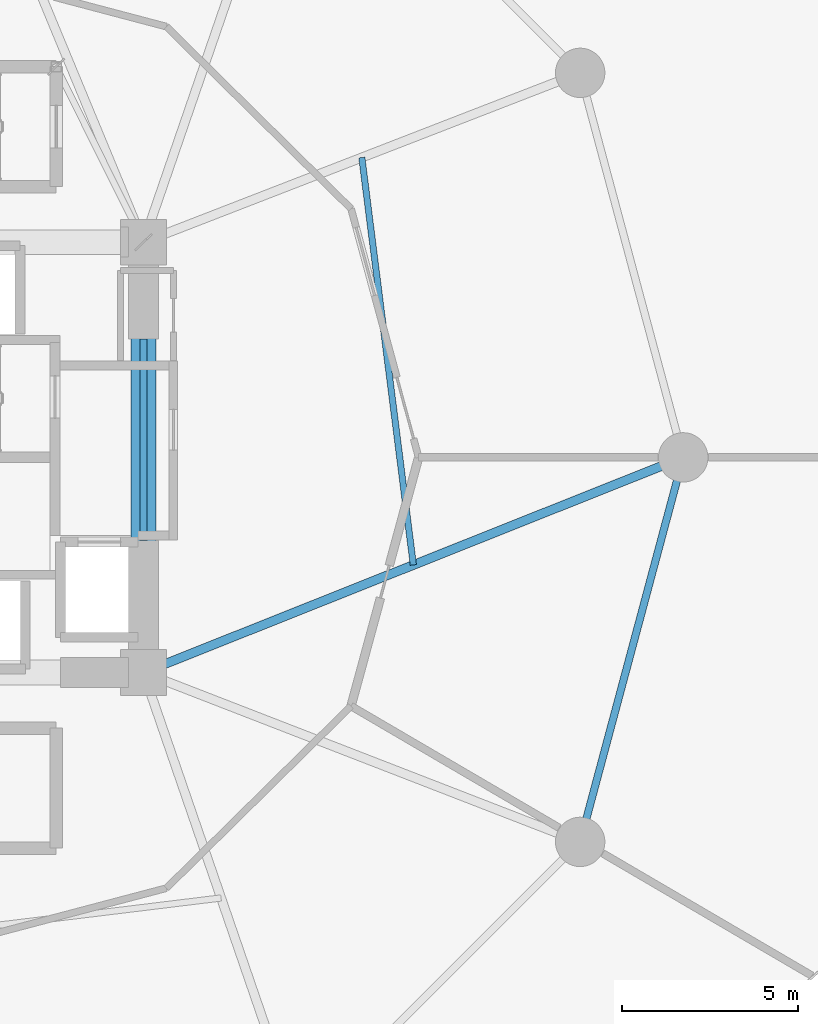
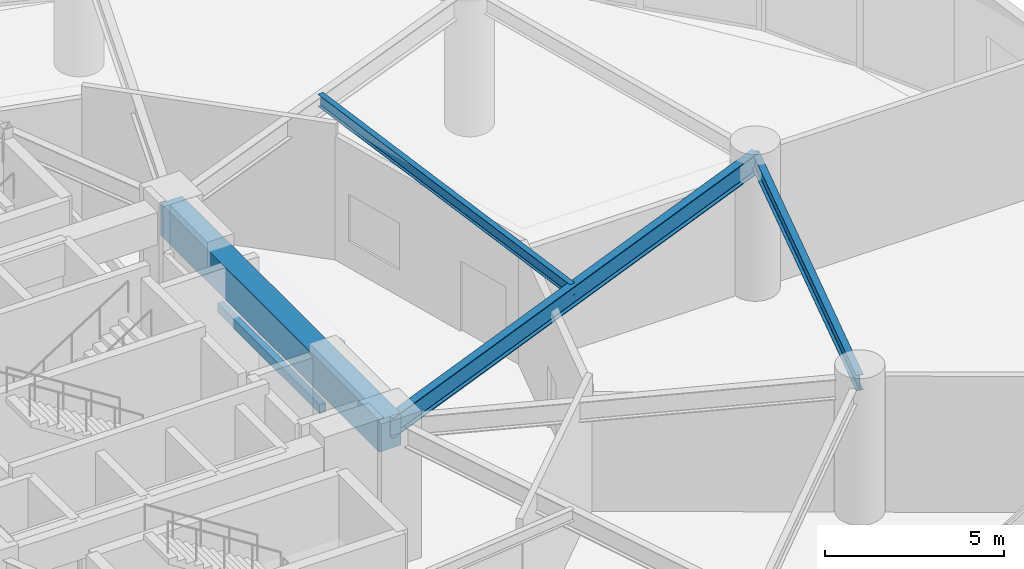
# One storey, part 13 of 31: 5 beams.
"""IFC4 building model written with IfcOpenShell, lengths in metres."""

from ifc_helpers import new_model, si_unit, direction, frame, origin, origin_2d, place, context, subcontext, project, spatial, rectangle, i_section, extrude, material, material_profile, profile_set, type_object, element, save


model = new_model("IFC4")

# Units and contexts
model_context = context("Model", 3, precision=1e-05, world=origin(), true_north=direction((0.0, 1.0)))
body_context = subcontext(model_context, "Body", "Model", "MODEL_VIEW")
ifc_project = project(units=[si_unit("LENGTHUNIT", "METRE"), si_unit("AREAUNIT", "SQUARE_METRE"), si_unit("VOLUMEUNIT", "CUBIC_METRE"), si_unit("PLANEANGLEUNIT", "RADIAN"), si_unit("MASSUNIT", "GRAM", prefix="KILO")], contexts=[model_context])

# Site, building, storey
site_placement = place(None, origin())
site = spatial("IfcSite", under=ifc_project, at=site_placement, CompositionType="ELEMENT")
building_placement = place(site_placement, origin())
building = spatial("IfcBuilding", under=site, at=building_placement, Name="Solvirekh Grand Hotel", CompositionType="ELEMENT")
storey_placement = place(building_placement, frame((0.0, 0.0, 18.60009765625)))
storey = spatial("IfcBuildingStorey", under=building, at=storey_placement, Name="L03", CompositionType="ELEMENT", Elevation=18.60009765625)

# Beams
ifc_material_1 = material(Name="Concrete C60/75", Category="concrete")
ifc_material_profile_1 = material_profile(ifc_material_1, rectangle(XDim=0.699951171875, YDim=1.10009765625, at=origin_2d()), Name="RC BEAM 700X1100")
ifc_profile_set_1 = profile_set([ifc_material_profile_1], Name="Concrete C60/75")
beam_type_1 = type_object("IfcBeamType", Name="Beam_Core_RC1100", PredefinedType="BEAM", material=ifc_profile_set_1)
beam_1_placement = place(storey_placement, frame((6.5, -6.10009765625, 4.08984375), z_axis=(0.0, 1.0, 0.0), x_axis=(-1.0, 0.0, 0.0)))
element("IfcBeam", 1, at=beam_1_placement, inside=storey, type_object=beam_type_1, Name="L03 core coupling ring beam 2", PredefinedType="BEAM", context=body_context, shape_type="SweptSolid", body=[
    extrude(rectangle(XDim=0.699951171875, YDim=1.10009765625, at=origin_2d()), origin(), (0.0, 0.0, 1.0), 12.2001953125),
])
ifc_material_2 = material(Name="Steel S355", Category="steel")
ifc_material_profile_2 = material_profile(ifc_material_2, i_section(OverallWidth=0.2548828125, OverallDepth=0.695068359375, WebThickness=0.01611328125, FlangeThickness=0.028076171875, FilletRadius=0.01611328125, at=origin_2d()), Name="W690X217")
ifc_profile_set_2 = profile_set([ifc_material_profile_2], Name="Steel S355")
beam_type_2 = type_object("IfcBeamType", Name="Beam_Primary_W690", PredefinedType="BEAM", material=ifc_profile_set_2)
beam_2_placement = place(storey_placement, frame((6.5, -6.10009765625, 4.2919921875), z_axis=(0.9288931718, 0.370347776263, 0.0), x_axis=(-0.370347776263, 0.9288931718, 0.0)))
element("IfcBeam", 2, at=beam_2_placement, inside=storey, type_object=beam_type_2, Name="L03 radial floor beam R01", PredefinedType="BEAM", context=body_context, shape_type="SweptSolid", body=[
    extrude(i_section(OverallWidth=0.2548828125, OverallDepth=0.695068359375, WebThickness=0.01611328125, FlangeThickness=0.028076171875, FilletRadius=0.01611328125, at=origin_2d()), origin(), (0.0, 0.0, 1.0), 16.47119140625),
])
ifc_material_profile_3 = material_profile(ifc_material_2, i_section(OverallWidth=0.177978515625, OverallDepth=0.406982421875, WebThickness=0.008056640625, FlangeThickness=0.011962890625, FilletRadius=0.011962890625, at=origin_2d()), Name="W410X60")
ifc_profile_set_3 = profile_set([ifc_material_profile_3], Name="Steel S355")
beam_type_3 = type_object("IfcBeamType", Name="Joist_Floor_W410", PredefinedType="JOIST", material=ifc_profile_set_3)
beam_3_placement = place(storey_placement, frame((14.14990234375, -3.050048828125, 4.43701171875), z_axis=(-0.125405136007, 0.992105615276, 0.0), x_axis=(-0.992105615276, -0.125405136007, 0.0)))
element("IfcBeam", 3, at=beam_3_placement, inside=storey, type_object=beam_type_3, Name="L03 secondary composite floor joist 1", PredefinedType="JOIST", context=body_context, shape_type="SweptSolid", body=[
    extrude(i_section(OverallWidth=0.177978515625, OverallDepth=0.406982421875, WebThickness=0.008056640625, FlangeThickness=0.011962890625, FilletRadius=0.011962890625, at=origin_2d()), origin(), (0.0, 0.0, 1.0), 11.641845703125),
])
ifc_material_3 = material(Name="Precast concrete C45/55", Category="concrete")
ifc_material_profile_4 = material_profile(ifc_material_3, rectangle(XDim=0.199951171875, YDim=0.320068359375, at=origin_2d()), Name="RC LINTEL 200X320")
ifc_profile_set_4 = profile_set([ifc_material_profile_4], Name="Precast concrete C45/55")
beam_type_4 = type_object("IfcBeamType", Name="Lintel_RC320", PredefinedType="LINTEL", material=ifc_profile_set_4)
beam_4_placement = place(storey_placement, frame((6.5, -2.35009765625, 2.64990234375), z_axis=(0.0, 1.0, 0.0), x_axis=(-1.0, 0.0, 0.0)))
element("IfcBeam", 4, at=beam_4_placement, inside=storey, type_object=beam_type_4, Name="L03 east core lobby RC lintel", PredefinedType="LINTEL", context=body_context, shape_type="SweptSolid", body=[
    extrude(rectangle(XDim=0.199951171875, YDim=0.320068359375, at=origin_2d()), origin(), (0.0, 0.0, 1.0), 5.7001953125),
])
ifc_material_profile_5 = material_profile(ifc_material_2, i_section(OverallWidth=0.208984375, OverallDepth=0.532958984375, WebThickness=0.010009765625, FlangeThickness=0.014892578125, FilletRadius=0.013916015625, at=origin_2d()), Name="W530X92")
ifc_profile_set_5 = profile_set([ifc_material_profile_5], Name="Steel S355")
beam_type_5 = type_object("IfcBeamType", Name="Spandrel_Ring_W530", PredefinedType="SPANDREL", material=ifc_profile_set_5)
beam_5_placement = place(storey_placement, frame((18.87890625, -10.89990234375, 4.372802734375), z_axis=(0.258862249378, 0.965914248703, 0.0), x_axis=(-0.965914248703, 0.258862249378, 0.0)))
element("IfcBeam", 5, at=beam_5_placement, inside=storey, type_object=beam_type_5, Name="L03 perimeter spandrel beam 12", PredefinedType="SPANDREL", context=body_context, shape_type="SweptSolid", body=[
    extrude(i_section(OverallWidth=0.208984375, OverallDepth=0.532958984375, WebThickness=0.010009765625, FlangeThickness=0.014892578125, FilletRadius=0.013916015625, at=origin_2d()), origin(), (0.0, 0.0, 1.0), 11.284423828125),
])

save(model, "model.ifc")
